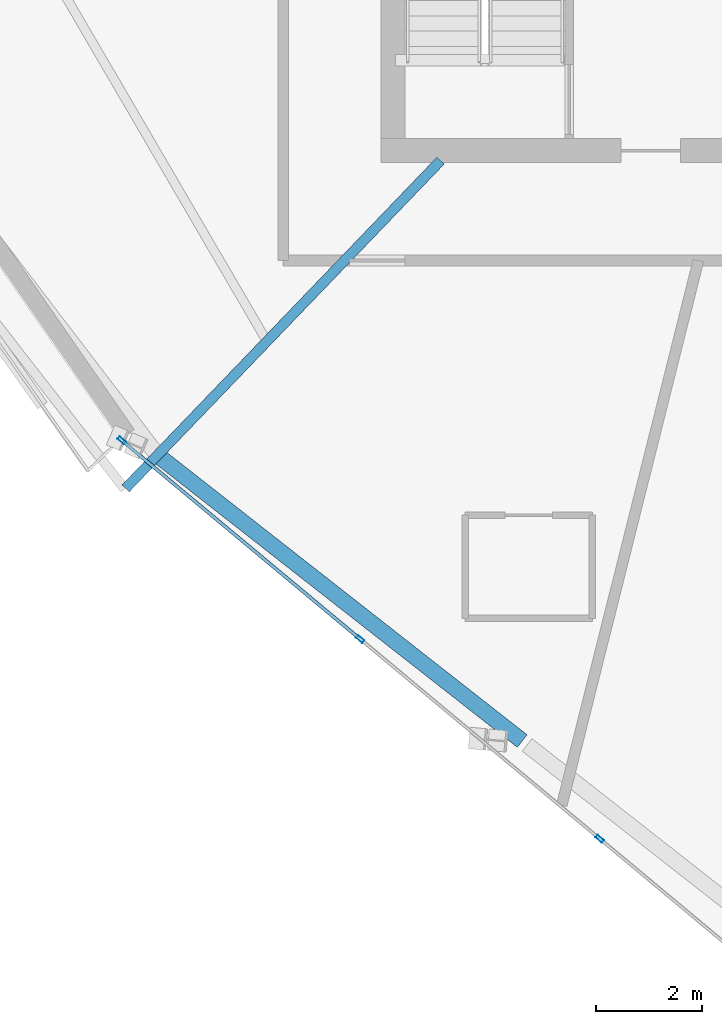
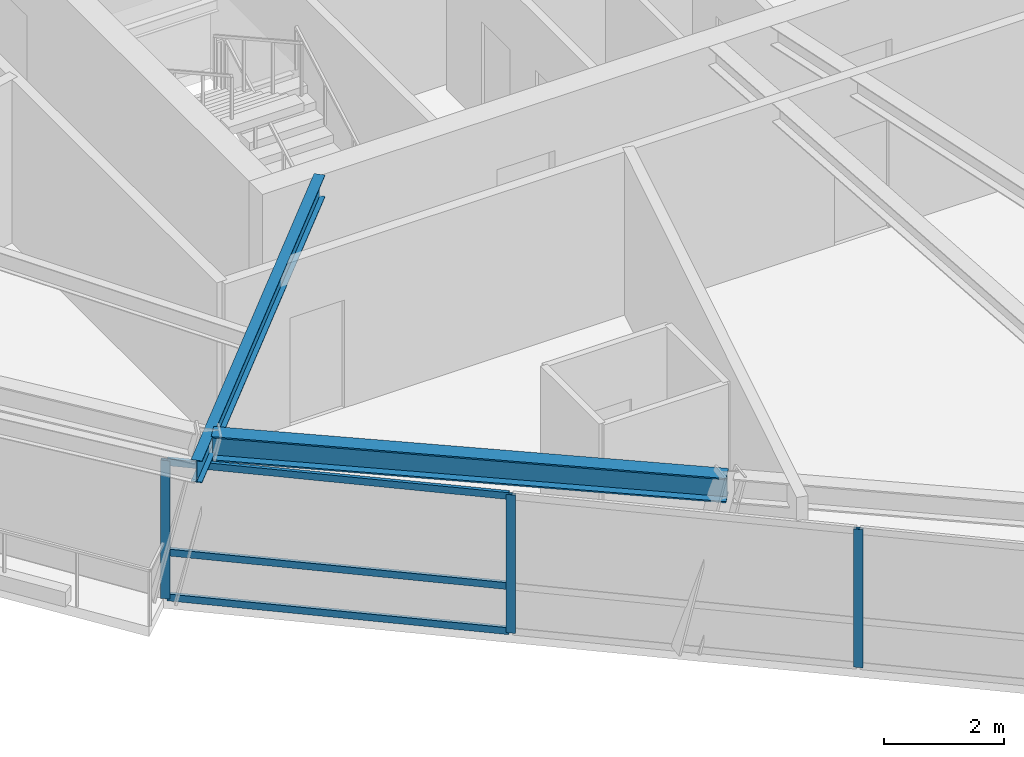
# One storey, part 2 of 14: 6 members, 2 beams, 1 element without a shape of its own.
"""IFC4 building model written with IfcOpenShell, lengths in metres."""

from ifc_helpers import new_model, si_unit, direction, frame, origin, origin_2d, place, context, subcontext, project, spatial, hollow_rectangle, i_section, extrude, source, transform, mapped, material, material_profile, profile_set, type_object, element, aggregate, save


model = new_model("IFC4")

# Units and contexts
model_context = context("Model", 3, precision=1e-05, world=origin(), true_north=direction((0.0, 1.0)))
body_context = subcontext(model_context, "Body", "Model", "MODEL_VIEW")
ifc_project = project(units=[si_unit("LENGTHUNIT", "METRE"), si_unit("AREAUNIT", "SQUARE_METRE"), si_unit("VOLUMEUNIT", "CUBIC_METRE"), si_unit("PLANEANGLEUNIT", "RADIAN"), si_unit("MASSUNIT", "GRAM", prefix="KILO")], contexts=[model_context])

# Site, building, storey
site_placement = place(None, origin())
site = spatial("IfcSite", under=ifc_project, at=site_placement, CompositionType="ELEMENT")
building_placement = place(site_placement, origin())
building = spatial("IfcBuilding", under=site, at=building_placement, Name="Olszyna Solenne Hotel", CompositionType="ELEMENT")
storey_placement = place(building_placement, frame((0.0, 0.0, 220.25)))
storey = spatial("IfcBuildingStorey", under=building, at=storey_placement, Name="L58", CompositionType="ELEMENT", Elevation=220.25)

# Beams
ifc_material_1 = material(Name="Steel S355J2", Category="steel")
ifc_material_profile_1 = material_profile(ifc_material_1, i_section(OverallWidth=0.300048828125, OverallDepth=0.5, WebThickness=0.014404296875, FlangeThickness=0.028076171875, at=origin_2d()), Name="HEB 500", Category="load-bearing")
ifc_profile_set_1 = profile_set([ifc_material_profile_1], Name="Steel S355J2")
beam_type_1 = type_object("IfcBeamType", Name="BM-S3", PredefinedType="BEAM", material=ifc_profile_set_1)
shared_shape_1 = source(origin(), body_context, "Body", "SweptSolid", [
    extrude(i_section(OverallWidth=0.300048828125, OverallDepth=0.5, WebThickness=0.014404296875, FlangeThickness=0.028076171875, at=origin_2d()), origin(), (0.0, 0.0, 1.0), 8.694091796875),
])
beam_1_placement = place(storey_placement, frame((25.4716796875, 13.48779296875, 3.080078125), z_axis=(0.787078760497, -0.616852514604, 0.0), x_axis=(0.616852514604, 0.787078760497, 0.0)))
element("IfcBeam", 1, at=beam_1_placement, inside=storey, type_object=beam_type_1, Name="Perimeter spandrel beam BM-S3 B-L58-1714", PredefinedType="BEAM", context=body_context, shape_type="MappedRepresentation", body=[
    mapped(shared_shape_1, transform((0.0, 0.0, 0.0), x_axis=(1.0, 0.0, 0.0), y_axis=(0.0, 1.0, 0.0), z_axis=(0.0, 0.0, 1.0), scale=1.0)),
])
ifc_material_profile_2 = material_profile(ifc_material_1, i_section(OverallWidth=0.18994140625, OverallDepth=0.449951171875, WebThickness=0.009521484375, FlangeThickness=0.0146484375, at=origin_2d()), Name="IPE 450", Category="load-bearing")
ifc_profile_set_2 = profile_set([ifc_material_profile_2], Name="Steel S355J2")
beam_type_2 = type_object("IfcBeamType", Name="BM-F4", PredefinedType="BEAM", material=ifc_profile_set_2)
shared_shape_2 = source(origin(), body_context, "Body", "SweptSolid", [
    extrude(i_section(OverallWidth=0.18994140625, OverallDepth=0.449951171875, WebThickness=0.009521484375, FlangeThickness=0.0146484375, at=origin_2d()), origin(), (0.0, 0.0, 1.0), 8.58642578125),
])
beam_2_placement = place(storey_placement, frame((24.823486328125, 12.89501953125, 3.10498046875), z_axis=(0.692921176814, 0.721013344344, 0.0), x_axis=(-0.721013344344, 0.692921176814, 0.0)))
element("IfcBeam", 2, at=beam_2_placement, inside=storey, type_object=beam_type_2, Name="Radial floor girder BM-F4 B-L58-1725", PredefinedType="BEAM", context=body_context, shape_type="MappedRepresentation", body=[
    mapped(shared_shape_2, transform((0.0, 0.0, 0.0), x_axis=(1.0, 0.0, 0.0), y_axis=(0.0, 1.0, 0.0), z_axis=(0.0, 0.0, 1.0), scale=1.0)),
])

# Curtain wall, members
ifc_material_2 = material(Name="Anodised bronze aluminium", Category="aluminium")
curtain_wall_type = type_object("IfcCurtainWallType", Name="CW-SYS-4", PredefinedType="NOTDEFINED", material=ifc_material_2)
curtain_wall_placement = place(storey_placement, origin())
curtain_wall = element("IfcCurtainWall", 3, at=curtain_wall_placement, inside=storey, type_object=curtain_wall_type, Name="Unitised curtain wall CW-SYS-4 CW-L58-01", PredefinedType="NOTDEFINED")
ifc_material_profile_3 = material_profile(ifc_material_2, hollow_rectangle(XDim=0.06494140625, YDim=0.159912109375, WallThickness=0.00390625, at=origin_2d()), Name="MULL 160x65x4", Category="load-bearing")
ifc_profile_set_3 = profile_set([ifc_material_profile_3], Name="Anodised bronze aluminium")
member_type_1 = type_object("IfcMemberType", Name="CW-M3", PredefinedType="MULLION", material=ifc_profile_set_3)
shared_shape_3 = source(origin(), body_context, "Body", "SweptSolid", [
    extrude(hollow_rectangle(XDim=0.06494140625, YDim=0.159912109375, WallThickness=0.00390625, at=origin_2d()), origin(), (0.0, 0.0, 1.0), 2.822021484375),
])
member_1_placement = place(storey_placement, frame((24.750732421875, 13.802490234375, 0.0), z_axis=(0.0, 0.0, 1.0), x_axis=(0.640281208368, 0.768140595341, 0.0)))
member_1 = element("IfcMember", 4, at=member_1_placement, type_object=member_type_1, Name="Curtain-wall mullion CW-M3 CM-L58-01-01", PredefinedType="MULLION", context=body_context, shape_type="MappedRepresentation", body=[
    mapped(shared_shape_3, transform((0.0, 0.0, 0.0), x_axis=(1.0, 0.0, 0.0), y_axis=(0.0, 1.0, 0.0), z_axis=(0.0, 0.0, 1.0), scale=1.0)),
])
member_2_placement = place(storey_placement, frame((29.252197265625, 10.05029296875, 0.0), z_axis=(0.0, 0.0, 1.0), x_axis=(0.640281208368, 0.768140595341, 0.0)))
member_2 = element("IfcMember", 5, at=member_2_placement, type_object=member_type_1, Name="Curtain-wall mullion CW-M3 CM-L58-01-02", PredefinedType="MULLION", context=body_context, shape_type="MappedRepresentation", body=[
    mapped(shared_shape_3, transform((0.0, 0.0, 0.0), x_axis=(1.0, 0.0, 0.0), y_axis=(0.0, 1.0, 0.0), z_axis=(0.0, 0.0, 1.0), scale=1.0)),
])
member_3_placement = place(storey_placement, frame((33.778564453125, 6.27734375, 0.0), z_axis=(0.0, 0.0, 1.0), x_axis=(0.640281208368, 0.768140595341, 0.0)))
member_3 = element("IfcMember", 6, at=member_3_placement, type_object=member_type_1, Name="Curtain-wall mullion CW-M3 CM-L58-01-03", PredefinedType="MULLION", context=body_context, shape_type="MappedRepresentation", body=[
    mapped(shared_shape_3, transform((0.0, 0.0, 0.0), x_axis=(1.0, 0.0, 0.0), y_axis=(0.0, 1.0, 0.0), z_axis=(0.0, 0.0, 1.0), scale=1.0)),
])
ifc_material_profile_4 = material_profile(ifc_material_2, hollow_rectangle(XDim=0.06494140625, YDim=0.139892578125, WallThickness=0.00390625, at=origin_2d()), Name="TRAN 140x65x4", Category="load-bearing")
ifc_profile_set_4 = profile_set([ifc_material_profile_4], Name="Anodised bronze aluminium")
member_type_2 = type_object("IfcMemberType", Name="CW-T2", PredefinedType="USERDEFINED", material=ifc_profile_set_4)
shared_shape_4 = source(origin(), body_context, "Body", "SweptSolid", [
    extrude(hollow_rectangle(XDim=0.06494140625, YDim=0.139892578125, WallThickness=0.00390625, at=origin_2d()), origin(), (0.0, 0.0, 1.0), 5.795166015625),
])
member_4_placement = place(storey_placement, frame((24.775634765625, 13.78173828125, 0.032470703125), z_axis=(0.768121129701, -0.64030456043, 0.0), x_axis=(0.64030456043, 0.768121129701, 0.0)))
member_4 = element("IfcMember", 7, at=member_4_placement, type_object=member_type_2, Name="Curtain-wall transom CW-T2 CT-L58-01-01", ObjectType="TRANSOM", PredefinedType="USERDEFINED", context=body_context, shape_type="MappedRepresentation", body=[
    mapped(shared_shape_4, transform((0.0, 0.0, 0.0), x_axis=(1.0, 0.0, 0.0), y_axis=(0.0, 1.0, 0.0), z_axis=(0.0, 0.0, 1.0), scale=1.0)),
])
member_5_placement = place(storey_placement, frame((24.775634765625, 13.78173828125, 0.949951171875), z_axis=(0.768121129701, -0.64030456043, 0.0), x_axis=(0.64030456043, 0.768121129701, 0.0)))
member_5 = element("IfcMember", 8, at=member_5_placement, type_object=member_type_2, Name="Curtain-wall transom CW-T2 CT-L58-01-02", ObjectType="TRANSOM", PredefinedType="USERDEFINED", context=body_context, shape_type="MappedRepresentation", body=[
    mapped(shared_shape_4, transform((0.0, 0.0, 0.0), x_axis=(1.0, 0.0, 0.0), y_axis=(0.0, 1.0, 0.0), z_axis=(0.0, 0.0, 1.0), scale=1.0)),
])
member_6_placement = place(storey_placement, frame((24.775634765625, 13.78173828125, 2.78955078125), z_axis=(0.768121129701, -0.64030456043, 0.0), x_axis=(0.64030456043, 0.768121129701, 0.0)))
member_6 = element("IfcMember", 9, at=member_6_placement, type_object=member_type_2, Name="Curtain-wall transom CW-T2 CT-L58-01-03", ObjectType="TRANSOM", PredefinedType="USERDEFINED", context=body_context, shape_type="MappedRepresentation", body=[
    mapped(shared_shape_4, transform((0.0, 0.0, 0.0), x_axis=(1.0, 0.0, 0.0), y_axis=(0.0, 1.0, 0.0), z_axis=(0.0, 0.0, 1.0), scale=1.0)),
])
aggregate(curtain_wall, [member_1, member_2, member_3, member_4, member_5, member_6])

save(model, "model.ifc")
